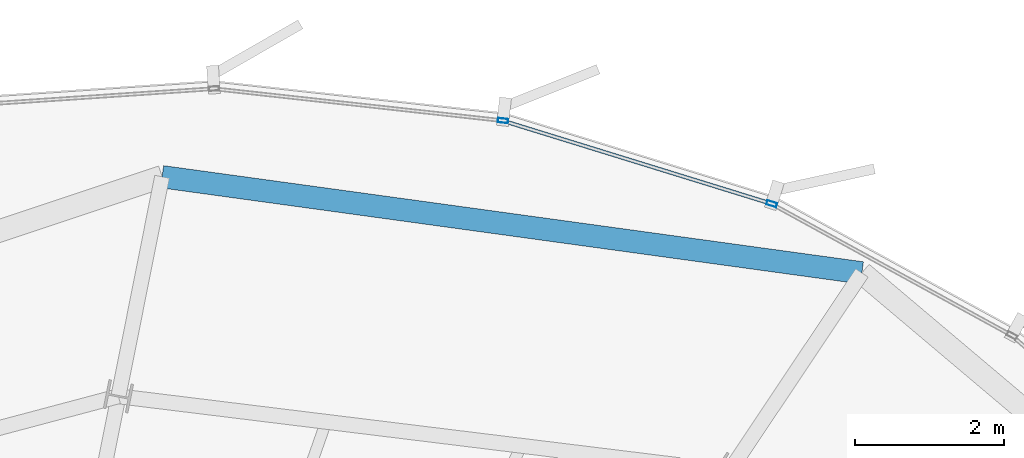
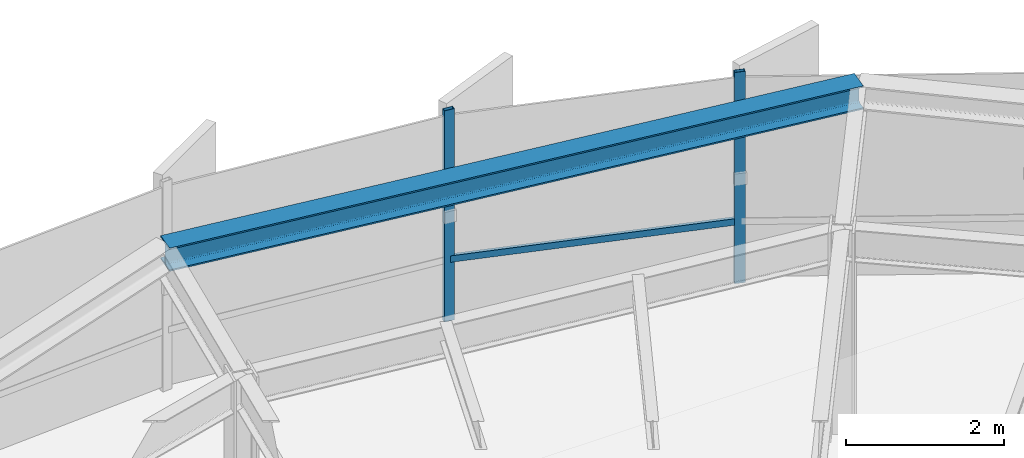
# One storey, part 26 of 34: 3 members, 1 beam, 1 element without a shape of its own.
"""IFC4 building model written with IfcOpenShell, lengths in metres."""

from ifc_helpers import new_model, si_unit, direction, frame, origin, origin_2d, place, context, subcontext, project, spatial, hollow_rectangle, i_section, extrude, source, transform, mapped, material, layer, layer_set, material_profile, profile_set, type_object, element, aggregate, save


model = new_model("IFC4")

# Units and contexts
model_context = context("Model", 3, precision=1e-05, world=origin(), true_north=direction((0.0, 1.0)))
body_context = subcontext(model_context, "Body", "Model", "MODEL_VIEW")
ifc_project = project(units=[si_unit("LENGTHUNIT", "METRE"), si_unit("AREAUNIT", "SQUARE_METRE"), si_unit("VOLUMEUNIT", "CUBIC_METRE"), si_unit("PLANEANGLEUNIT", "RADIAN"), si_unit("MASSUNIT", "GRAM", prefix="KILO"), si_unit("THERMODYNAMICTEMPERATUREUNIT", "KELVIN")], contexts=[model_context])

# Site, building, storey
site_placement = place(None, origin())
site = spatial("IfcSite", under=ifc_project, at=site_placement, CompositionType="ELEMENT")
building_placement = place(site_placement, origin())
building = spatial("IfcBuilding", under=site, at=building_placement, Name="Kethvar Cultural Tower", CompositionType="ELEMENT")
storey_placement = place(building_placement, frame((0.0, 0.0, 207.89990234375)))
storey = spatial("IfcBuildingStorey", under=building, at=storey_placement, Name="L54", CompositionType="ELEMENT", Elevation=207.89990234375)

# Beam
ifc_material_1 = material(Name="Steel S355J2", Category="steel")
ifc_material_profile_1 = material_profile(ifc_material_1, i_section(OverallWidth=0.300048828125, OverallDepth=0.360107421875, WebThickness=0.012451171875, FlangeThickness=0.0224609375, FilletRadius=0.027099609375, at=origin_2d()), Name="Steel S355J2 — HEB360")
ifc_profile_set_1 = profile_set([ifc_material_profile_1], Name="Steel S355J2 — HEB360")
beam_type = type_object("IfcBeamType", Name="BM-SP360", PredefinedType="SPANDREL", material=ifc_profile_set_1)
shared_shape_1 = source(origin(), body_context, "Body", "SweptSolid", [
    extrude(i_section(OverallWidth=0.300048828125, OverallDepth=0.360107421875, WebThickness=0.012451171875, FlangeThickness=0.0224609375, FilletRadius=0.027099609375, at=origin_2d()), origin(), (0.0, 0.0, 1.0), 9.4716796875),
])
beam_placement = place(storey_placement, frame((60.52587890625, 48.34228515625, 3.078125), z_axis=(-0.99069904731, 0.136071296234, 0.0), x_axis=(-0.136071296234, -0.99069904731, 0.0)))
element("IfcBeam", 1, at=beam_placement, inside=storey, type_object=beam_type, Name="L54 Perimeter Spandrel Beam SP-03", PredefinedType="SPANDREL", context=body_context, shape_type="MappedRepresentation", body=[
    mapped(shared_shape_1, transform((0.0, 0.0, 0.0), scale=1.0)),
])

# Curtain wall, members
ifc_material_2 = material(Name="Aluminium 6063-T6", Category="aluminium")
ifc_layer = layer(ifc_material_2, 0.179931640625, Name="Aluminium 6063-T6", Category="aluminium")
ifc_layer_set = layer_set([ifc_layer], Name="Aluminium 6063-T6 (180 mm)")
curtain_wall_type = type_object("IfcCurtainWallType", Name="CW-SYS-04-Z34", PredefinedType="NOTDEFINED", material=ifc_layer_set)
curtain_wall_placement = place(storey_placement, origin())
curtain_wall = element("IfcCurtainWall", 2, at=curtain_wall_placement, inside=storey, type_object=curtain_wall_type, Name="L54 Curtain Wall Run 01", PredefinedType="NOTDEFINED")
ifc_material_profile_2 = material_profile(ifc_material_2, hollow_rectangle(XDim=0.06005859375, YDim=0.139892578125, WallThickness=0.0048828125, at=origin_2d()), Name="Aluminium 6063-T6 — RHS140x60x5")
ifc_profile_set_2 = profile_set([ifc_material_profile_2], Name="Aluminium 6063-T6 — RHS140x60x5")
member_type_1 = type_object("IfcMemberType", Name="CW-SYS-04-Z34-MUL", PredefinedType="MULLION", material=ifc_profile_set_2)
shared_shape_2 = source(origin(), body_context, "Body", "SweptSolid", [
    extrude(hollow_rectangle(XDim=0.06005859375, YDim=0.139892578125, WallThickness=0.0048828125, at=origin_2d()), origin(), (0.0, 0.0, 1.0), 3.260009765625),
])
member_1_placement = place(storey_placement, frame((59.31640625, 49.26806640625, 0.0), z_axis=(0.0, 0.0, 1.0), x_axis=(-0.295157800188, -0.955448519277, 0.0)))
member_1 = element("IfcMember", 3, at=member_1_placement, type_object=member_type_1, Name="CW-L54-R01 Mullion 3", PredefinedType="MULLION", context=body_context, shape_type="MappedRepresentation", body=[
    mapped(shared_shape_2, transform((0.0, 0.0, 0.0), scale=1.0)),
])
member_2_placement = place(storey_placement, frame((55.7138671875, 50.383056640625, 0.0), z_axis=(0.0, 0.0, 1.0), x_axis=(-0.109699615242, -0.9939647853, 0.0)))
member_2 = element("IfcMember", 4, at=member_2_placement, type_object=member_type_1, Name="CW-L54-R01 Mullion 4", PredefinedType="MULLION", context=body_context, shape_type="MappedRepresentation", body=[
    mapped(shared_shape_2, transform((0.0, 0.0, 0.0), scale=1.0)),
])
ifc_material_profile_3 = material_profile(ifc_material_2, hollow_rectangle(XDim=0.050048828125, YDim=0.10009765625, WallThickness=0.00390625, at=origin_2d()), Name="Aluminium 6063-T6 — RHS100x50x4")
ifc_profile_set_3 = profile_set([ifc_material_profile_3], Name="Aluminium 6063-T6 — RHS100x50x4")
member_type_2 = type_object("IfcMemberType", Name="CW-SYS-04-Z34-TRN", PredefinedType="USERDEFINED", material=ifc_profile_set_3)
shared_shape_3 = source(origin(), body_context, "Body", "SweptSolid", [
    extrude(hollow_rectangle(XDim=0.050048828125, YDim=0.10009765625, WallThickness=0.00390625, at=origin_2d()), origin(), (0.0, 0.0, 1.0), 3.70556640625),
])
member_3_placement = place(storey_placement, frame((59.275390625, 49.281005859375, 0.9501953125), z_axis=(-0.955466495819, 0.295099602453, 0.0), x_axis=(-0.295099602453, -0.955466495819, 0.0)))
member_3 = element("IfcMember", 5, at=member_3_placement, type_object=member_type_2, Name="CW-L54-R01 Transom 3", ObjectType="TRANSOM", PredefinedType="USERDEFINED", context=body_context, shape_type="MappedRepresentation", body=[
    mapped(shared_shape_3, transform((0.0, 0.0, 0.0), scale=1.0)),
])
aggregate(curtain_wall, [member_1, member_2, member_3])

save(model, "model.ifc")
